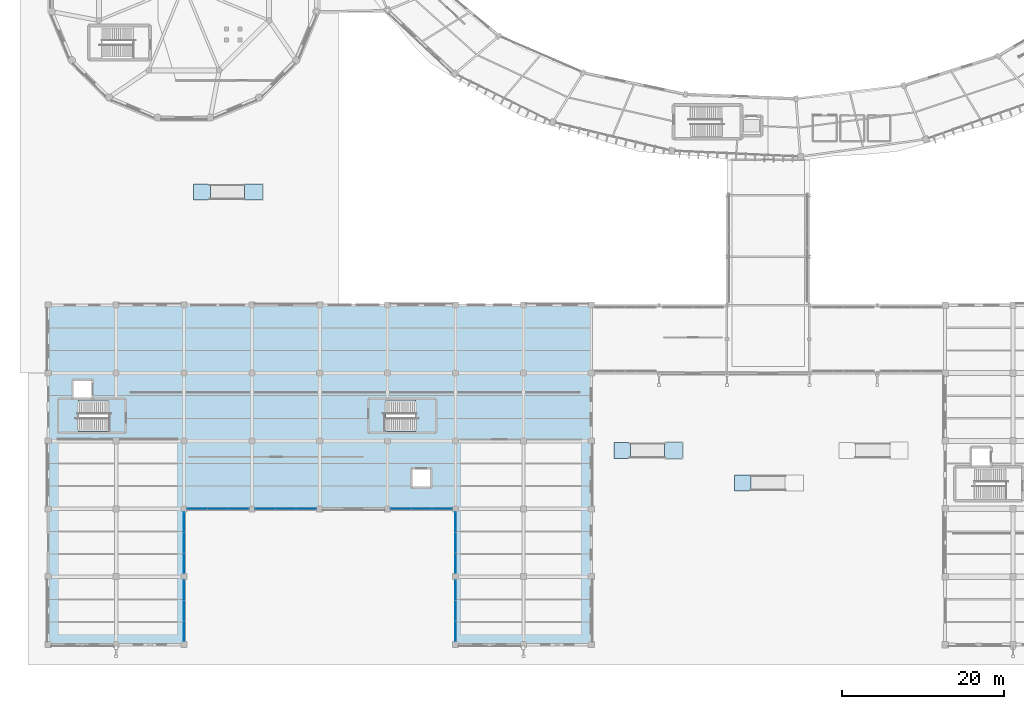
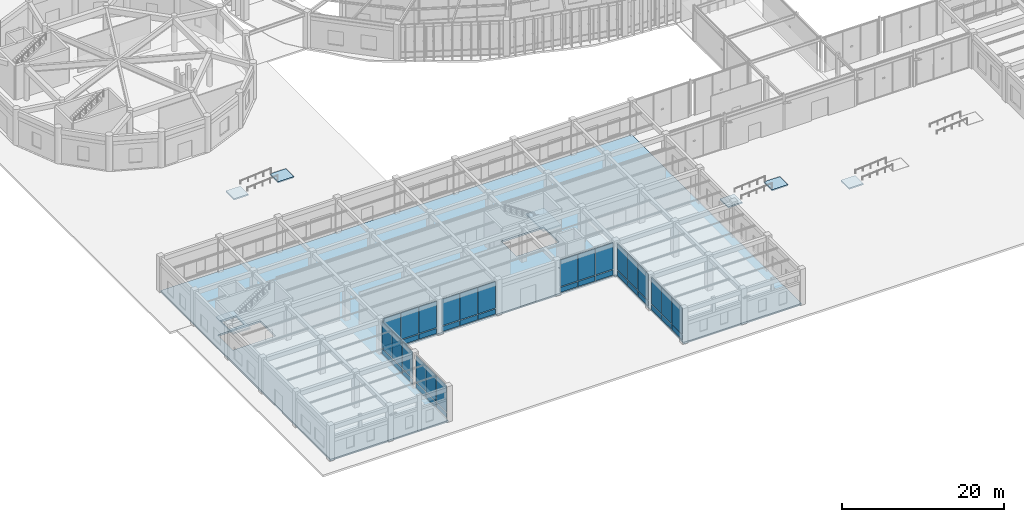
# One storey, part 111 of 157: 42 plates, 8 slabs, 12 elements without a shape of their own.
"""IFC4 building model written with IfcOpenShell, lengths in metres."""

import ifcopenshell
import ifcopenshell.guid

model = None  # the IFC model being written
_history = None  # IfcOwnerHistory: only IFC2X3 demands one
_inside = {}  # id of a spatial element -> (the spatial element, [elements in it])
_under = {}  # id of a project, library or spatial element -> (it, [spatial elements below it])
_declared = {}  # id of a project -> (the project, [libraries it declares])
_typed = {}  # id of a type object -> (the type object, [elements of that type])
_made_of = {}  # id of a material, layer set ... -> (it, [elements and type objects made of it])


def new_model(schema):
    """Start an empty IFC model of exactly this schema.

    Asked for "IFC4X3", IfcOpenShell would pick the latest addendum, in which some entities
    have other attributes; the version numbers below select the first issue.
    IFC2X3 requires an IfcOwnerHistory on every rooted entity: one is made here for all.
    """
    global model, _history
    if schema == "IFC4X3":
        model = ifcopenshell.file(schema_version=(4, 3, 0, 0))
    else:
        model = ifcopenshell.file(schema=schema)
    _inside.clear()
    _under.clear()
    _declared.clear()
    _typed.clear()
    _made_of.clear()
    _history = None
    if model.schema == "IFC2X3":
        org = make("IfcOrganization", Name="unknown")
        user = make(
            "IfcPersonAndOrganization",
            ThePerson=make("IfcPerson", FamilyName="unknown"),
            TheOrganization=org,
        )
        app = make(
            "IfcApplication",
            ApplicationDeveloper=org,
            Version="unknown",
            ApplicationFullName="unknown",
            ApplicationIdentifier="unknown",
        )
        _history = make(
            "IfcOwnerHistory",
            OwningUser=user,
            OwningApplication=app,
            ChangeAction="ADDED",
            CreationDate=0,
        )
    return model


def make(cls, **values):
    """One entity of the class cls with the attributes given. An attribute that is None is left unset."""
    return model.create_entity(
        cls, **{name: value for name, value in values.items() if value is not None}
    )


def rooted(cls, **values):
    """An entity with a GlobalId (a new one), such as an element, a storey or a relation."""
    return make(cls, GlobalId=ifcopenshell.guid.new(), OwnerHistory=_history, **values)


def si_unit(unit_type, name, prefix=None):
    """IfcSIUnit, for example si_unit("LENGTHUNIT", "METRE", prefix="MILLI")."""
    return make("IfcSIUnit", UnitType=unit_type, Prefix=prefix, Name=name)


def assignment(units):
    """IfcUnitAssignment: the units of a project."""
    return None if units is None else make("IfcUnitAssignment", Units=units)


def point(xyz):
    """IfcCartesianPoint."""
    return None if xyz is None else make("IfcCartesianPoint", Coordinates=xyz)


def direction(xyz):
    """IfcDirection."""
    return None if xyz is None else make("IfcDirection", DirectionRatios=xyz)


def frame(location, z_axis=None, x_axis=None):
    """IfcAxis2Placement3D, a coordinate frame: its origin and axes. An axis left out is left unset."""
    return make(
        "IfcAxis2Placement3D",
        Location=point(location),
        Axis=direction(z_axis),
        RefDirection=direction(x_axis),
    )


def frame_2d(location, x_axis=None):
    """IfcAxis2Placement2D, a coordinate frame in the plane: its origin and x axis."""
    return make(
        "IfcAxis2Placement2D", Location=point(location), RefDirection=direction(x_axis)
    )


def origin():
    """The frame at (0, 0, 0) with its axes left unset."""
    return frame((0.0, 0.0, 0.0))


def origin_2d():
    """The frame at (0, 0) in the plane with its x axis left unset."""
    return frame_2d((0.0, 0.0))


def place(relative_to, where):
    """IfcLocalPlacement: puts the frame where relative to a parent placement (None: the world)."""
    return make(
        "IfcLocalPlacement", PlacementRelTo=relative_to, RelativePlacement=where
    )


def context(
    kind, dimensions, precision=None, world=None, true_north=None, identifier=None
):
    """IfcGeometricRepresentationContext, for example the 3D "Model" context."""
    return make(
        "IfcGeometricRepresentationContext",
        ContextIdentifier=identifier,
        ContextType=kind,
        CoordinateSpaceDimension=dimensions,
        Precision=precision,
        WorldCoordinateSystem=world,
        TrueNorth=true_north,
    )


def subcontext(parent, identifier, kind, view, scale=None):
    """IfcGeometricRepresentationSubContext, for example "Body" below "Model"."""
    return make(
        "IfcGeometricRepresentationSubContext",
        ContextIdentifier=identifier,
        ContextType=kind,
        ParentContext=parent,
        TargetScale=scale,
        TargetView=view,
    )


def project(units=None, contexts=None):
    """IfcProject with its units and contexts."""
    return rooted(
        "IfcProject",
        Name="project",
        RepresentationContexts=contexts,
        UnitsInContext=assignment(units),
    )


def spatial(cls, under=None, at=None, **own):
    """A site, building, storey or space (cls), placed at a placement, below another one or the project."""
    s = rooted(cls, ObjectPlacement=at, **own)
    if under is not None:
        _under.setdefault(under.id(), (under, []))[1].append(s)
    return s


def polyline(points):
    """IfcPolyline through the points."""
    return make("IfcPolyline", Points=[point(p) for p in points])


def profile(cls, at=None, kind="AREA", **sizes):
    """A parametric profile (cls). Its sizes go by their IFC names, for example OverallWidth=200.0."""
    return make(cls, ProfileType=kind, Position=at, **sizes)


def rectangle(**sizes):
    """IfcRectangleProfileDef."""
    return profile("IfcRectangleProfileDef", **sizes)


def outline(outer, holes=None, kind="AREA"):
    """IfcArbitraryClosedProfileDef: a profile drawn as a closed curve; with holes, ...WithVoids."""
    if holes is None:
        return make("IfcArbitraryClosedProfileDef", ProfileType=kind, OuterCurve=outer)
    return make(
        "IfcArbitraryProfileDefWithVoids",
        ProfileType=kind,
        OuterCurve=outer,
        InnerCurves=holes,
    )


def extrude(swept, where, along, depth):
    """IfcExtrudedAreaSolid: the profile swept, set in the frame where, extruded along a direction by depth."""
    return make(
        "IfcExtrudedAreaSolid",
        SweptArea=swept,
        Position=where,
        ExtrudedDirection=direction(along),
        Depth=depth,
    )


def shape(context_of_items, identifier, shape_type, items):
    """IfcShapeRepresentation: the items that make up one representation, for example the "Body"."""
    return make(
        "IfcShapeRepresentation",
        ContextOfItems=context_of_items,
        RepresentationIdentifier=identifier,
        RepresentationType=shape_type,
        Items=items,
    )


def material(Name=None, Category=None):
    """IfcMaterial."""
    return make("IfcMaterial", Name=Name, Category=Category)


def layer(
    of_material, thickness, ventilated=None, Name=None, Category=None, Priority=None
):
    """IfcMaterialLayer: one layer of a wall or slab, of a material (None: an air gap)."""
    return make(
        "IfcMaterialLayer",
        Material=of_material,
        LayerThickness=thickness,
        IsVentilated=ventilated,
        Name=Name,
        Category=Category,
        Priority=Priority,
    )


def layer_set(layers, Name=None):
    """IfcMaterialLayerSet."""
    return make("IfcMaterialLayerSet", MaterialLayers=layers, LayerSetName=Name)


def made_of(thing, what):
    """Note that an element or type object is made of a material, layer set ...; save() writes the relation."""
    if what is not None:
        _made_of.setdefault(what.id(), (what, []))[1].append(thing)
    return thing


def type_object(cls, material=None, **own):
    """A type object (cls), such as IfcWallType, which elements share."""
    return made_of(rooted(cls, **own), material)


def element(
    cls,
    number,
    at=None,
    inside=None,
    cuts=None,
    type_object=None,
    material=None,
    context=None,
    identifier="Body",
    shape_type=None,
    held_by="IfcProductDefinitionShape",
    body=None,
    shapes=None,
    **own,
):
    """One element of the class cls, such as IfcWall. Its Tag is "e" and its number.

    at: its placement. inside: the storey or other place that contains it. cuts: it is an
    opening in that element (IfcRelVoidsElement). A single representation is given by context,
    identifier, shape_type and body (its items); several are given by shapes. held_by: the class
    of the entity that holds the representations. save() writes the other relations.
    """
    e = rooted(cls, Tag="e%d" % number, ObjectPlacement=at, **own)
    if body is not None:
        shapes = [shape(context, identifier, shape_type, body)]
    if shapes is not None:
        e.Representation = make(held_by, Representations=shapes)
    if inside is not None:
        _inside.setdefault(inside.id(), (inside, []))[1].append(e)
    if cuts is not None:
        rooted(
            "IfcRelVoidsElement", RelatingBuildingElement=cuts, RelatedOpeningElement=e
        )
    if type_object is not None:
        _typed.setdefault(type_object.id(), (type_object, []))[1].append(e)
    return made_of(e, material)


def aggregate(whole, parts):
    """IfcRelAggregates: a whole, such as a stair, and the parts it consists of."""
    return rooted("IfcRelAggregates", RelatingObject=whole, RelatedObjects=parts)


def save(model, path):
    """Write the relations noted so far, then the file.

    IfcRelAggregates (storeys below a building ...), IfcRelContainedInSpatialStructure (elements
    in a storey), IfcRelDefinesByType, IfcRelAssociatesMaterial and IfcRelDeclares: one each for
    every whole, place, type object, material and project.
    """
    for whole, parts in _under.values():
        aggregate(whole, parts)
    for where, things in _inside.values():
        rooted(
            "IfcRelContainedInSpatialStructure",
            RelatedElements=things,
            RelatingStructure=where,
        )
    for kind, things in _typed.values():
        rooted("IfcRelDefinesByType", RelatedObjects=things, RelatingType=kind)
    for what, things in _made_of.values():
        rooted("IfcRelAssociatesMaterial", RelatedObjects=things, RelatingMaterial=what)
    for by, libraries in _declared.values():
        rooted("IfcRelDeclares", RelatingContext=by, RelatedDefinitions=libraries)
    model.write(path)


model = new_model("IFC4")

# Units and contexts
model_context = context("Model", 3, precision=1e-05, world=origin(), true_north=direction((0.0, 1.0)))
body_context = subcontext(model_context, "Body", "Model", "MODEL_VIEW")
ifc_project = project(units=[si_unit("LENGTHUNIT", "METRE"), si_unit("AREAUNIT", "SQUARE_METRE"), si_unit("VOLUMEUNIT", "CUBIC_METRE"), si_unit("PLANEANGLEUNIT", "RADIAN"), si_unit("MASSUNIT", "GRAM", prefix="KILO"), si_unit("THERMODYNAMICTEMPERATUREUNIT", "KELVIN"), si_unit("POWERUNIT", "WATT")], contexts=[model_context])

# Site, building, storey
site_placement = place(None, origin())
site = spatial("IfcSite", under=ifc_project, at=site_placement, CompositionType="ELEMENT")
building_placement = place(site_placement, origin())
building = spatial("IfcBuilding", under=site, at=building_placement, Name="Darbajah Civic Hall", CompositionType="ELEMENT")
storey_placement = place(building_placement, origin())
storey = spatial("IfcBuildingStorey", under=building, at=storey_placement, Name="L00", CompositionType="ELEMENT", Elevation=0.0)

# Curtain wall, plates
ifc_material_1 = material(Name="Anodised Bronze Aluminium and Low-E Glazing", Category="aluminium")
curtain_wall_type = type_object("IfcCurtainWallType", Name="Unitised Curtain Wall CW-98 7600x5150", PredefinedType="USERDEFINED", material=ifc_material_1)
curtain_wall_1_placement = place(storey_placement, origin())
curtain_wall_1 = element("IfcCurtainWall", 1, at=curtain_wall_1_placement, inside=storey, type_object=curtain_wall_type, Name="L00 unitised curtain wall CW-V5-L00-S1-B0", ObjectType="UNITISED CURTAIN WALL", PredefinedType="USERDEFINED")
ifc_material_2 = material(Name="Low-E Solar Control Double Glazing", Category="glass")
ifc_layer_1 = layer(ifc_material_2, 0.031982421875, Name="Low-E Solar Control Double Glazing")
ifc_layer_set_1 = layer_set([ifc_layer_1], Name="Low-E Solar Control Double Glazing")
plate_type = type_object("IfcPlateType", Name="Solar Double Glazing 32mm", PredefinedType="CURTAIN_PANEL", material=ifc_layer_set_1)
plate_1_placement = place(storey_placement, frame((16.800048828125, 1.6513671875, 0.119873046875), z_axis=(0.0, 0.0, 1.0), x_axis=(0.0, 1.0, 0.0)))
plate_1 = element("IfcPlate", 2, at=plate_1_placement, type_object=plate_type, Name="CW-V5-L00-S1-B0 glazed panel 1.1", PredefinedType="CURTAIN_PANEL", context=body_context, shape_type="SweptSolid", body=[
    extrude(rectangle(XDim=2.478759765625, YDim=0.031982421875, at=origin_2d()), origin(), (0.0, 0.0, 1.0), 0.77001953125),
])
plate_2_placement = place(storey_placement, frame((16.800048828125, 1.6513671875, 1.009765625), z_axis=(0.0, 0.0, 1.0), x_axis=(0.0, 1.0, 0.0)))
plate_2 = element("IfcPlate", 3, at=plate_2_placement, type_object=plate_type, Name="CW-V5-L00-S1-B0 glazed panel 1.2", PredefinedType="CURTAIN_PANEL", context=body_context, shape_type="SweptSolid", body=[
    extrude(rectangle(XDim=2.478759765625, YDim=0.031982421875, at=origin_2d()), origin(), (0.0, 0.0, 1.0), 4.010009765625),
])
plate_3_placement = place(storey_placement, frame((16.800048828125, 4.199951171875, 0.119873046875), z_axis=(0.0, 0.0, 1.0), x_axis=(0.0, 1.0, 0.0)))
plate_3 = element("IfcPlate", 4, at=plate_3_placement, type_object=plate_type, Name="CW-V5-L00-S1-B0 glazed panel 2.1", PredefinedType="CURTAIN_PANEL", context=body_context, shape_type="SweptSolid", body=[
    extrude(rectangle(XDim=2.478759765625, YDim=0.031982421875, at=origin_2d()), origin(), (0.0, 0.0, 1.0), 0.77001953125),
])
plate_4_placement = place(storey_placement, frame((16.800048828125, 4.199951171875, 1.009765625), z_axis=(0.0, 0.0, 1.0), x_axis=(0.0, 1.0, 0.0)))
plate_4 = element("IfcPlate", 5, at=plate_4_placement, type_object=plate_type, Name="CW-V5-L00-S1-B0 glazed panel 2.2", PredefinedType="CURTAIN_PANEL", context=body_context, shape_type="SweptSolid", body=[
    extrude(rectangle(XDim=2.478759765625, YDim=0.031982421875, at=origin_2d()), origin(), (0.0, 0.0, 1.0), 4.010009765625),
])
plate_5_placement = place(storey_placement, frame((16.800048828125, 6.74853515625, 0.119873046875), z_axis=(0.0, 0.0, 1.0), x_axis=(0.0, 1.0, 0.0)))
plate_5 = element("IfcPlate", 6, at=plate_5_placement, type_object=plate_type, Name="CW-V5-L00-S1-B0 glazed panel 3.1", PredefinedType="CURTAIN_PANEL", context=body_context, shape_type="SweptSolid", body=[
    extrude(rectangle(XDim=2.478759765625, YDim=0.031982421875, at=origin_2d()), origin(), (0.0, 0.0, 1.0), 0.77001953125),
])
plate_6_placement = place(storey_placement, frame((16.800048828125, 6.74853515625, 1.009765625), z_axis=(0.0, 0.0, 1.0), x_axis=(0.0, 1.0, 0.0)))
plate_6 = element("IfcPlate", 7, at=plate_6_placement, type_object=plate_type, Name="CW-V5-L00-S1-B0 glazed panel 3.2", PredefinedType="CURTAIN_PANEL", context=body_context, shape_type="SweptSolid", body=[
    extrude(rectangle(XDim=2.478759765625, YDim=0.031982421875, at=origin_2d()), origin(), (0.0, 0.0, 1.0), 4.010009765625),
])
aggregate(curtain_wall_1, [plate_1, plate_2, plate_3, plate_4, plate_5, plate_6])

curtain_wall_2_placement = place(storey_placement, origin())
curtain_wall_2 = element("IfcCurtainWall", 8, at=curtain_wall_2_placement, inside=storey, type_object=curtain_wall_type, Name="L00 unitised curtain wall CW-V5-L00-S1-B1", ObjectType="UNITISED CURTAIN WALL", PredefinedType="USERDEFINED")
plate_7_placement = place(storey_placement, frame((16.800048828125, 10.05126953125, 0.119873046875), z_axis=(0.0, 0.0, 1.0), x_axis=(0.0, 1.0, 0.0)))
plate_7 = element("IfcPlate", 9, at=plate_7_placement, type_object=plate_type, Name="CW-V5-L00-S1-B1 glazed panel 1.1", PredefinedType="CURTAIN_PANEL", context=body_context, shape_type="SweptSolid", body=[
    extrude(rectangle(XDim=2.478759765625, YDim=0.031982421875, at=origin_2d()), origin(), (0.0, 0.0, 1.0), 0.77001953125),
])
plate_8_placement = place(storey_placement, frame((16.800048828125, 10.05126953125, 1.009765625), z_axis=(0.0, 0.0, 1.0), x_axis=(0.0, 1.0, 0.0)))
plate_8 = element("IfcPlate", 10, at=plate_8_placement, type_object=plate_type, Name="CW-V5-L00-S1-B1 glazed panel 1.2", PredefinedType="CURTAIN_PANEL", context=body_context, shape_type="SweptSolid", body=[
    extrude(rectangle(XDim=2.478759765625, YDim=0.031982421875, at=origin_2d()), origin(), (0.0, 0.0, 1.0), 4.010009765625),
])
plate_9_placement = place(storey_placement, frame((16.800048828125, 12.60009765625, 0.119873046875), z_axis=(0.0, 0.0, 1.0), x_axis=(0.0, 1.0, 0.0)))
plate_9 = element("IfcPlate", 11, at=plate_9_placement, type_object=plate_type, Name="CW-V5-L00-S1-B1 glazed panel 2.1", PredefinedType="CURTAIN_PANEL", context=body_context, shape_type="SweptSolid", body=[
    extrude(rectangle(XDim=2.478759765625, YDim=0.031982421875, at=origin_2d()), origin(), (0.0, 0.0, 1.0), 0.77001953125),
])
plate_10_placement = place(storey_placement, frame((16.800048828125, 12.60009765625, 1.009765625), z_axis=(0.0, 0.0, 1.0), x_axis=(0.0, 1.0, 0.0)))
plate_10 = element("IfcPlate", 12, at=plate_10_placement, type_object=plate_type, Name="CW-V5-L00-S1-B1 glazed panel 2.2", PredefinedType="CURTAIN_PANEL", context=body_context, shape_type="SweptSolid", body=[
    extrude(rectangle(XDim=2.478759765625, YDim=0.031982421875, at=origin_2d()), origin(), (0.0, 0.0, 1.0), 4.010009765625),
])
plate_11_placement = place(storey_placement, frame((16.800048828125, 15.148681640625, 0.119873046875), z_axis=(0.0, 0.0, 1.0), x_axis=(0.0, 1.0, 0.0)))
plate_11 = element("IfcPlate", 13, at=plate_11_placement, type_object=plate_type, Name="CW-V5-L00-S1-B1 glazed panel 3.1", PredefinedType="CURTAIN_PANEL", context=body_context, shape_type="SweptSolid", body=[
    extrude(rectangle(XDim=2.478759765625, YDim=0.031982421875, at=origin_2d()), origin(), (0.0, 0.0, 1.0), 0.77001953125),
])
plate_12_placement = place(storey_placement, frame((16.800048828125, 15.148681640625, 1.009765625), z_axis=(0.0, 0.0, 1.0), x_axis=(0.0, 1.0, 0.0)))
plate_12 = element("IfcPlate", 14, at=plate_12_placement, type_object=plate_type, Name="CW-V5-L00-S1-B1 glazed panel 3.2", PredefinedType="CURTAIN_PANEL", context=body_context, shape_type="SweptSolid", body=[
    extrude(rectangle(XDim=2.478759765625, YDim=0.031982421875, at=origin_2d()), origin(), (0.0, 0.0, 1.0), 4.010009765625),
])
aggregate(curtain_wall_2, [plate_7, plate_8, plate_9, plate_10, plate_11, plate_12])

curtain_wall_3_placement = place(storey_placement, origin())
curtain_wall_3 = element("IfcCurtainWall", 15, at=curtain_wall_3_placement, inside=storey, type_object=curtain_wall_type, Name="L00 unitised curtain wall CW-V5-L00-S2-B0", ObjectType="UNITISED CURTAIN WALL", PredefinedType="USERDEFINED")
plate_13_placement = place(storey_placement, frame((18.451416015625, 16.800048828125, 0.119873046875), z_axis=(0.0, 0.0, 1.0), x_axis=(1.0, 0.0, 0.0)))
plate_13 = element("IfcPlate", 16, at=plate_13_placement, type_object=plate_type, Name="CW-V5-L00-S2-B0 glazed panel 1.1", PredefinedType="CURTAIN_PANEL", context=body_context, shape_type="SweptSolid", body=[
    extrude(rectangle(XDim=2.478759765625, YDim=0.031982421875, at=origin_2d()), origin(), (0.0, 0.0, 1.0), 0.77001953125),
])
plate_14_placement = place(storey_placement, frame((18.451416015625, 16.800048828125, 1.009765625), z_axis=(0.0, 0.0, 1.0), x_axis=(1.0, 0.0, 0.0)))
plate_14 = element("IfcPlate", 17, at=plate_14_placement, type_object=plate_type, Name="CW-V5-L00-S2-B0 glazed panel 1.2", PredefinedType="CURTAIN_PANEL", context=body_context, shape_type="SweptSolid", body=[
    extrude(rectangle(XDim=2.478759765625, YDim=0.031982421875, at=origin_2d()), origin(), (0.0, 0.0, 1.0), 4.010009765625),
])
plate_15_placement = place(storey_placement, frame((21.0, 16.800048828125, 0.119873046875), z_axis=(0.0, 0.0, 1.0), x_axis=(1.0, 0.0, 0.0)))
plate_15 = element("IfcPlate", 18, at=plate_15_placement, type_object=plate_type, Name="CW-V5-L00-S2-B0 glazed panel 2.1", PredefinedType="CURTAIN_PANEL", context=body_context, shape_type="SweptSolid", body=[
    extrude(rectangle(XDim=2.478759765625, YDim=0.031982421875, at=origin_2d()), origin(), (0.0, 0.0, 1.0), 0.77001953125),
])
plate_16_placement = place(storey_placement, frame((21.0, 16.800048828125, 1.009765625), z_axis=(0.0, 0.0, 1.0), x_axis=(1.0, 0.0, 0.0)))
plate_16 = element("IfcPlate", 19, at=plate_16_placement, type_object=plate_type, Name="CW-V5-L00-S2-B0 glazed panel 2.2", PredefinedType="CURTAIN_PANEL", context=body_context, shape_type="SweptSolid", body=[
    extrude(rectangle(XDim=2.478759765625, YDim=0.031982421875, at=origin_2d()), origin(), (0.0, 0.0, 1.0), 4.010009765625),
])
plate_17_placement = place(storey_placement, frame((23.548583984375, 16.800048828125, 0.119873046875), z_axis=(0.0, 0.0, 1.0), x_axis=(1.0, 0.0, 0.0)))
plate_17 = element("IfcPlate", 20, at=plate_17_placement, type_object=plate_type, Name="CW-V5-L00-S2-B0 glazed panel 3.1", PredefinedType="CURTAIN_PANEL", context=body_context, shape_type="SweptSolid", body=[
    extrude(rectangle(XDim=2.478759765625, YDim=0.031982421875, at=origin_2d()), origin(), (0.0, 0.0, 1.0), 0.77001953125),
])
plate_18_placement = place(storey_placement, frame((23.548583984375, 16.800048828125, 1.009765625), z_axis=(0.0, 0.0, 1.0), x_axis=(1.0, 0.0, 0.0)))
plate_18 = element("IfcPlate", 21, at=plate_18_placement, type_object=plate_type, Name="CW-V5-L00-S2-B0 glazed panel 3.2", PredefinedType="CURTAIN_PANEL", context=body_context, shape_type="SweptSolid", body=[
    extrude(rectangle(XDim=2.478759765625, YDim=0.031982421875, at=origin_2d()), origin(), (0.0, 0.0, 1.0), 4.010009765625),
])
aggregate(curtain_wall_3, [plate_13, plate_14, plate_15, plate_16, plate_17, plate_18])

curtain_wall_4_placement = place(storey_placement, origin())
curtain_wall_4 = element("IfcCurtainWall", 22, at=curtain_wall_4_placement, inside=storey, type_object=curtain_wall_type, Name="L00 unitised curtain wall CW-V5-L00-S2-B1", ObjectType="UNITISED CURTAIN WALL", PredefinedType="USERDEFINED")
plate_19_placement = place(storey_placement, frame((26.851318359375, 16.800048828125, 0.119873046875), z_axis=(0.0, 0.0, 1.0), x_axis=(1.0, 0.0, 0.0)))
plate_19 = element("IfcPlate", 23, at=plate_19_placement, type_object=plate_type, Name="CW-V5-L00-S2-B1 glazed panel 1.1", PredefinedType="CURTAIN_PANEL", context=body_context, shape_type="SweptSolid", body=[
    extrude(rectangle(XDim=2.478759765625, YDim=0.031982421875, at=origin_2d()), origin(), (0.0, 0.0, 1.0), 0.77001953125),
])
plate_20_placement = place(storey_placement, frame((26.851318359375, 16.800048828125, 1.009765625), z_axis=(0.0, 0.0, 1.0), x_axis=(1.0, 0.0, 0.0)))
plate_20 = element("IfcPlate", 24, at=plate_20_placement, type_object=plate_type, Name="CW-V5-L00-S2-B1 glazed panel 1.2", PredefinedType="CURTAIN_PANEL", context=body_context, shape_type="SweptSolid", body=[
    extrude(rectangle(XDim=2.478759765625, YDim=0.031982421875, at=origin_2d()), origin(), (0.0, 0.0, 1.0), 4.010009765625),
])
plate_21_placement = place(storey_placement, frame((29.39990234375, 16.800048828125, 0.119873046875), z_axis=(0.0, 0.0, 1.0), x_axis=(1.0, 0.0, 0.0)))
plate_21 = element("IfcPlate", 25, at=plate_21_placement, type_object=plate_type, Name="CW-V5-L00-S2-B1 glazed panel 2.1", PredefinedType="CURTAIN_PANEL", context=body_context, shape_type="SweptSolid", body=[
    extrude(rectangle(XDim=2.478759765625, YDim=0.031982421875, at=origin_2d()), origin(), (0.0, 0.0, 1.0), 0.77001953125),
])
plate_22_placement = place(storey_placement, frame((29.39990234375, 16.800048828125, 1.009765625), z_axis=(0.0, 0.0, 1.0), x_axis=(1.0, 0.0, 0.0)))
plate_22 = element("IfcPlate", 26, at=plate_22_placement, type_object=plate_type, Name="CW-V5-L00-S2-B1 glazed panel 2.2", PredefinedType="CURTAIN_PANEL", context=body_context, shape_type="SweptSolid", body=[
    extrude(rectangle(XDim=2.478759765625, YDim=0.031982421875, at=origin_2d()), origin(), (0.0, 0.0, 1.0), 4.010009765625),
])
plate_23_placement = place(storey_placement, frame((31.94873046875, 16.800048828125, 0.119873046875), z_axis=(0.0, 0.0, 1.0), x_axis=(1.0, 0.0, 0.0)))
plate_23 = element("IfcPlate", 27, at=plate_23_placement, type_object=plate_type, Name="CW-V5-L00-S2-B1 glazed panel 3.1", PredefinedType="CURTAIN_PANEL", context=body_context, shape_type="SweptSolid", body=[
    extrude(rectangle(XDim=2.478759765625, YDim=0.031982421875, at=origin_2d()), origin(), (0.0, 0.0, 1.0), 0.77001953125),
])
plate_24_placement = place(storey_placement, frame((31.94873046875, 16.800048828125, 1.009765625), z_axis=(0.0, 0.0, 1.0), x_axis=(1.0, 0.0, 0.0)))
plate_24 = element("IfcPlate", 28, at=plate_24_placement, type_object=plate_type, Name="CW-V5-L00-S2-B1 glazed panel 3.2", PredefinedType="CURTAIN_PANEL", context=body_context, shape_type="SweptSolid", body=[
    extrude(rectangle(XDim=2.478759765625, YDim=0.031982421875, at=origin_2d()), origin(), (0.0, 0.0, 1.0), 4.010009765625),
])
aggregate(curtain_wall_4, [plate_19, plate_20, plate_21, plate_22, plate_23, plate_24])

curtain_wall_5_placement = place(storey_placement, origin())
curtain_wall_5 = element("IfcCurtainWall", 29, at=curtain_wall_5_placement, inside=storey, type_object=curtain_wall_type, Name="L00 unitised curtain wall CW-V5-L00-S2-B3", ObjectType="UNITISED CURTAIN WALL", PredefinedType="USERDEFINED")
plate_25_placement = place(storey_placement, frame((43.6513671875, 16.800048828125, 0.119873046875), z_axis=(0.0, 0.0, 1.0), x_axis=(1.0, 0.0, 0.0)))
plate_25 = element("IfcPlate", 30, at=plate_25_placement, type_object=plate_type, Name="CW-V5-L00-S2-B3 glazed panel 1.1", PredefinedType="CURTAIN_PANEL", context=body_context, shape_type="SweptSolid", body=[
    extrude(rectangle(XDim=2.478759765625, YDim=0.031982421875, at=origin_2d()), origin(), (0.0, 0.0, 1.0), 0.77001953125),
])
plate_26_placement = place(storey_placement, frame((43.6513671875, 16.800048828125, 1.009765625), z_axis=(0.0, 0.0, 1.0), x_axis=(1.0, 0.0, 0.0)))
plate_26 = element("IfcPlate", 31, at=plate_26_placement, type_object=plate_type, Name="CW-V5-L00-S2-B3 glazed panel 1.2", PredefinedType="CURTAIN_PANEL", context=body_context, shape_type="SweptSolid", body=[
    extrude(rectangle(XDim=2.478759765625, YDim=0.031982421875, at=origin_2d()), origin(), (0.0, 0.0, 1.0), 4.010009765625),
])
plate_27_placement = place(storey_placement, frame((46.199951171875, 16.800048828125, 0.119873046875), z_axis=(0.0, 0.0, 1.0), x_axis=(1.0, 0.0, 0.0)))
plate_27 = element("IfcPlate", 32, at=plate_27_placement, type_object=plate_type, Name="CW-V5-L00-S2-B3 glazed panel 2.1", PredefinedType="CURTAIN_PANEL", context=body_context, shape_type="SweptSolid", body=[
    extrude(rectangle(XDim=2.478759765625, YDim=0.031982421875, at=origin_2d()), origin(), (0.0, 0.0, 1.0), 0.77001953125),
])
plate_28_placement = place(storey_placement, frame((46.199951171875, 16.800048828125, 1.009765625), z_axis=(0.0, 0.0, 1.0), x_axis=(1.0, 0.0, 0.0)))
plate_28 = element("IfcPlate", 33, at=plate_28_placement, type_object=plate_type, Name="CW-V5-L00-S2-B3 glazed panel 2.2", PredefinedType="CURTAIN_PANEL", context=body_context, shape_type="SweptSolid", body=[
    extrude(rectangle(XDim=2.478759765625, YDim=0.031982421875, at=origin_2d()), origin(), (0.0, 0.0, 1.0), 4.010009765625),
])
plate_29_placement = place(storey_placement, frame((48.74853515625, 16.800048828125, 0.119873046875), z_axis=(0.0, 0.0, 1.0), x_axis=(1.0, 0.0, 0.0)))
plate_29 = element("IfcPlate", 34, at=plate_29_placement, type_object=plate_type, Name="CW-V5-L00-S2-B3 glazed panel 3.1", PredefinedType="CURTAIN_PANEL", context=body_context, shape_type="SweptSolid", body=[
    extrude(rectangle(XDim=2.478759765625, YDim=0.031982421875, at=origin_2d()), origin(), (0.0, 0.0, 1.0), 0.77001953125),
])
plate_30_placement = place(storey_placement, frame((48.74853515625, 16.800048828125, 1.009765625), z_axis=(0.0, 0.0, 1.0), x_axis=(1.0, 0.0, 0.0)))
plate_30 = element("IfcPlate", 35, at=plate_30_placement, type_object=plate_type, Name="CW-V5-L00-S2-B3 glazed panel 3.2", PredefinedType="CURTAIN_PANEL", context=body_context, shape_type="SweptSolid", body=[
    extrude(rectangle(XDim=2.478759765625, YDim=0.031982421875, at=origin_2d()), origin(), (0.0, 0.0, 1.0), 4.010009765625),
])
aggregate(curtain_wall_5, [plate_25, plate_26, plate_27, plate_28, plate_29, plate_30])

curtain_wall_6_placement = place(storey_placement, origin())
curtain_wall_6 = element("IfcCurtainWall", 36, at=curtain_wall_6_placement, inside=storey, type_object=curtain_wall_type, Name="L00 unitised curtain wall CW-V5-L00-S3-B0", ObjectType="UNITISED CURTAIN WALL", PredefinedType="USERDEFINED")
plate_31_placement = place(storey_placement, frame((50.39990234375, 15.148681640625, 0.119873046875), z_axis=(0.0, 0.0, 1.0), x_axis=(0.0, -1.0, 0.0)))
plate_31 = element("IfcPlate", 37, at=plate_31_placement, type_object=plate_type, Name="CW-V5-L00-S3-B0 glazed panel 1.1", PredefinedType="CURTAIN_PANEL", context=body_context, shape_type="SweptSolid", body=[
    extrude(rectangle(XDim=2.478759765625, YDim=0.031982421875, at=origin_2d()), origin(), (0.0, 0.0, 1.0), 0.77001953125),
])
plate_32_placement = place(storey_placement, frame((50.39990234375, 15.148681640625, 1.009765625), z_axis=(0.0, 0.0, 1.0), x_axis=(0.0, -1.0, 0.0)))
plate_32 = element("IfcPlate", 38, at=plate_32_placement, type_object=plate_type, Name="CW-V5-L00-S3-B0 glazed panel 1.2", PredefinedType="CURTAIN_PANEL", context=body_context, shape_type="SweptSolid", body=[
    extrude(rectangle(XDim=2.478759765625, YDim=0.031982421875, at=origin_2d()), origin(), (0.0, 0.0, 1.0), 4.010009765625),
])
plate_33_placement = place(storey_placement, frame((50.39990234375, 12.60009765625, 0.119873046875), z_axis=(0.0, 0.0, 1.0), x_axis=(0.0, -1.0, 0.0)))
plate_33 = element("IfcPlate", 39, at=plate_33_placement, type_object=plate_type, Name="CW-V5-L00-S3-B0 glazed panel 2.1", PredefinedType="CURTAIN_PANEL", context=body_context, shape_type="SweptSolid", body=[
    extrude(rectangle(XDim=2.478759765625, YDim=0.031982421875, at=origin_2d()), origin(), (0.0, 0.0, 1.0), 0.77001953125),
])
plate_34_placement = place(storey_placement, frame((50.39990234375, 12.60009765625, 1.009765625), z_axis=(0.0, 0.0, 1.0), x_axis=(0.0, -1.0, 0.0)))
plate_34 = element("IfcPlate", 40, at=plate_34_placement, type_object=plate_type, Name="CW-V5-L00-S3-B0 glazed panel 2.2", PredefinedType="CURTAIN_PANEL", context=body_context, shape_type="SweptSolid", body=[
    extrude(rectangle(XDim=2.478759765625, YDim=0.031982421875, at=origin_2d()), origin(), (0.0, 0.0, 1.0), 4.010009765625),
])
plate_35_placement = place(storey_placement, frame((50.39990234375, 10.05126953125, 0.119873046875), z_axis=(0.0, 0.0, 1.0), x_axis=(0.0, -1.0, 0.0)))
plate_35 = element("IfcPlate", 41, at=plate_35_placement, type_object=plate_type, Name="CW-V5-L00-S3-B0 glazed panel 3.1", PredefinedType="CURTAIN_PANEL", context=body_context, shape_type="SweptSolid", body=[
    extrude(rectangle(XDim=2.478759765625, YDim=0.031982421875, at=origin_2d()), origin(), (0.0, 0.0, 1.0), 0.77001953125),
])
plate_36_placement = place(storey_placement, frame((50.39990234375, 10.05126953125, 1.009765625), z_axis=(0.0, 0.0, 1.0), x_axis=(0.0, -1.0, 0.0)))
plate_36 = element("IfcPlate", 42, at=plate_36_placement, type_object=plate_type, Name="CW-V5-L00-S3-B0 glazed panel 3.2", PredefinedType="CURTAIN_PANEL", context=body_context, shape_type="SweptSolid", body=[
    extrude(rectangle(XDim=2.478759765625, YDim=0.031982421875, at=origin_2d()), origin(), (0.0, 0.0, 1.0), 4.010009765625),
])
aggregate(curtain_wall_6, [plate_31, plate_32, plate_33, plate_34, plate_35, plate_36])

curtain_wall_7_placement = place(storey_placement, origin())
curtain_wall_7 = element("IfcCurtainWall", 43, at=curtain_wall_7_placement, inside=storey, type_object=curtain_wall_type, Name="L00 unitised curtain wall CW-V5-L00-S3-B1", ObjectType="UNITISED CURTAIN WALL", PredefinedType="USERDEFINED")
plate_37_placement = place(storey_placement, frame((50.39990234375, 6.74853515625, 0.119873046875), z_axis=(0.0, 0.0, 1.0), x_axis=(0.0, -1.0, 0.0)))
plate_37 = element("IfcPlate", 44, at=plate_37_placement, type_object=plate_type, Name="CW-V5-L00-S3-B1 glazed panel 1.1", PredefinedType="CURTAIN_PANEL", context=body_context, shape_type="SweptSolid", body=[
    extrude(rectangle(XDim=2.478759765625, YDim=0.031982421875, at=origin_2d()), origin(), (0.0, 0.0, 1.0), 0.77001953125),
])
plate_38_placement = place(storey_placement, frame((50.39990234375, 6.74853515625, 1.009765625), z_axis=(0.0, 0.0, 1.0), x_axis=(0.0, -1.0, 0.0)))
plate_38 = element("IfcPlate", 45, at=plate_38_placement, type_object=plate_type, Name="CW-V5-L00-S3-B1 glazed panel 1.2", PredefinedType="CURTAIN_PANEL", context=body_context, shape_type="SweptSolid", body=[
    extrude(rectangle(XDim=2.478759765625, YDim=0.031982421875, at=origin_2d()), origin(), (0.0, 0.0, 1.0), 4.010009765625),
])
plate_39_placement = place(storey_placement, frame((50.39990234375, 4.199951171875, 0.119873046875), z_axis=(0.0, 0.0, 1.0), x_axis=(0.0, -1.0, 0.0)))
plate_39 = element("IfcPlate", 46, at=plate_39_placement, type_object=plate_type, Name="CW-V5-L00-S3-B1 glazed panel 2.1", PredefinedType="CURTAIN_PANEL", context=body_context, shape_type="SweptSolid", body=[
    extrude(rectangle(XDim=2.478759765625, YDim=0.031982421875, at=origin_2d()), origin(), (0.0, 0.0, 1.0), 0.77001953125),
])
plate_40_placement = place(storey_placement, frame((50.39990234375, 4.199951171875, 1.009765625), z_axis=(0.0, 0.0, 1.0), x_axis=(0.0, -1.0, 0.0)))
plate_40 = element("IfcPlate", 47, at=plate_40_placement, type_object=plate_type, Name="CW-V5-L00-S3-B1 glazed panel 2.2", PredefinedType="CURTAIN_PANEL", context=body_context, shape_type="SweptSolid", body=[
    extrude(rectangle(XDim=2.478759765625, YDim=0.031982421875, at=origin_2d()), origin(), (0.0, 0.0, 1.0), 4.010009765625),
])
plate_41_placement = place(storey_placement, frame((50.39990234375, 1.6513671875, 0.119873046875), z_axis=(0.0, 0.0, 1.0), x_axis=(0.0, -1.0, 0.0)))
plate_41 = element("IfcPlate", 48, at=plate_41_placement, type_object=plate_type, Name="CW-V5-L00-S3-B1 glazed panel 3.1", PredefinedType="CURTAIN_PANEL", context=body_context, shape_type="SweptSolid", body=[
    extrude(rectangle(XDim=2.478759765625, YDim=0.031982421875, at=origin_2d()), origin(), (0.0, 0.0, 1.0), 0.77001953125),
])
plate_42_placement = place(storey_placement, frame((50.39990234375, 1.6513671875, 1.009765625), z_axis=(0.0, 0.0, 1.0), x_axis=(0.0, -1.0, 0.0)))
plate_42 = element("IfcPlate", 49, at=plate_42_placement, type_object=plate_type, Name="CW-V5-L00-S3-B1 glazed panel 3.2", PredefinedType="CURTAIN_PANEL", context=body_context, shape_type="SweptSolid", body=[
    extrude(rectangle(XDim=2.478759765625, YDim=0.031982421875, at=origin_2d()), origin(), (0.0, 0.0, 1.0), 4.010009765625),
])
aggregate(curtain_wall_7, [plate_37, plate_38, plate_39, plate_40, plate_41, plate_42])

# Stair, slab
ifc_material_3 = material(Name="Concrete C45/55", Category="concrete")
stair_type = type_object("IfcStairType", Name="Half Turn Stair 1650x5400", PredefinedType="HALF_TURN_STAIR", material=ifc_material_3)
stair_1_placement = place(storey_placement, origin())
stair_1 = element("IfcStair", 50, at=stair_1_placement, inside=storey, type_object=stair_type, Name="L00 enclosed exit stair ST10", PredefinedType="HALF_TURN_STAIR")
ifc_layer_2 = layer(ifc_material_3, 0.199951171875, Name="Concrete C45/55")
ifc_layer_set_2 = layer_set([ifc_layer_2], Name="Concrete C45/55")
slab_type_1 = type_object("IfcSlabType", Name="Stair Landing Slab 200mm", PredefinedType="LANDING", material=ifc_layer_set_2)
slab_1_placement = place(storey_placement, frame((0.0, 0.0, 2.5)))
slab_1 = element("IfcSlab", 51, at=slab_1_placement, type_object=slab_type_1, Name="ST10 L00 half-landing", PredefinedType="LANDING", context=body_context, shape_type="SweptSolid", body=[
    extrude(outline(polyline([(1.199951171875, 26.199951171875), (3.739990234375, 26.199951171875), (3.739990234375, 30.39990234375), (1.199951171875, 30.39990234375), (1.199951171875, 26.199951171875)])), origin(), (0.0, 0.0, 1.0), 0.199951171875),
])
aggregate(stair_1, [slab_1])

stair_2_placement = place(storey_placement, origin())
stair_2 = element("IfcStair", 52, at=stair_2_placement, inside=storey, type_object=stair_type, Name="L00 enclosed exit stair ST11", PredefinedType="HALF_TURN_STAIR")
slab_2_placement = place(storey_placement, frame((0.0, 0.0, 2.5)))
slab_2 = element("IfcSlab", 53, at=slab_2_placement, type_object=slab_type_1, Name="ST11 L00 half-landing", PredefinedType="LANDING", context=body_context, shape_type="SweptSolid", body=[
    extrude(outline(polyline([(45.4599609375, 26.199951171875), (48.0, 26.199951171875), (48.0, 30.39990234375), (45.4599609375, 30.39990234375), (45.4599609375, 26.199951171875)])), origin(), (0.0, 0.0, 1.0), 0.199951171875),
])
aggregate(stair_2, [slab_2])

# Ramp, slabs
ramp_type = type_object("IfcRampType", Name="Exterior Plaza Accessible Ramp", PredefinedType="STRAIGHT_RUN_RAMP", material=ifc_material_3)
ramp_1_placement = place(storey_placement, origin())
ramp_1 = element("IfcRamp", 54, at=ramp_1_placement, inside=storey, type_object=ramp_type, Name="South West Maidan Accessible Ramp", PredefinedType="STRAIGHT_RUN_RAMP")
slab_3_placement = place(storey_placement, frame((0.0, 0.0, -0.56005859375)))
slab_3 = element("IfcSlab", 55, at=slab_3_placement, type_object=slab_type_1, Name="South West Maidan Accessible Ramp lower landing", PredefinedType="LANDING", context=body_context, shape_type="SweptSolid", body=[
    extrude(outline(polyline([(70.0, 23.0), (72.050048828125, 23.0), (72.050048828125, 25.0), (70.0, 25.0), (70.0, 23.0)])), origin(), (0.0, 0.0, 1.0), 0.199951171875),
])
slab_4_placement = place(storey_placement, frame((0.0, 0.0, -0.199951171875)))
slab_4 = element("IfcSlab", 56, at=slab_4_placement, type_object=slab_type_1, Name="South West Maidan Accessible Ramp upper landing", PredefinedType="LANDING", context=body_context, shape_type="SweptSolid", body=[
    extrude(outline(polyline([(76.27001953125, 23.0), (78.52001953125, 23.0), (78.52001953125, 25.0), (76.27001953125, 25.0), (76.27001953125, 23.0)])), origin(), (0.0, 0.0, 1.0), 0.199951171875),
])
aggregate(ramp_1, [slab_3, slab_4])

# Ramp, slab
ramp_2_placement = place(storey_placement, origin())
ramp_2 = element("IfcRamp", 57, at=ramp_2_placement, inside=storey, type_object=ramp_type, Name="Central Pishtaq Ceremonial Approach Ramp", PredefinedType="STRAIGHT_RUN_RAMP")
slab_5_placement = place(storey_placement, frame((0.0, 0.0, -0.56005859375)))
slab_5 = element("IfcSlab", 58, at=slab_5_placement, type_object=slab_type_1, Name="Central Pishtaq Ceremonial Approach Ramp lower landing", PredefinedType="LANDING", context=body_context, shape_type="SweptSolid", body=[
    extrude(outline(polyline([(84.93994140625, 19.0), (86.989990234375, 19.0), (86.989990234375, 21.0), (84.93994140625, 21.0), (84.93994140625, 19.0)])), origin(), (0.0, 0.0, 1.0), 0.199951171875),
])
aggregate(ramp_2, [slab_5])

# Ramp, slabs
ramp_3_placement = place(storey_placement, origin())
ramp_3 = element("IfcRamp", 59, at=ramp_3_placement, inside=storey, type_object=ramp_type, Name="West Council Drum Plaza Accessible Ramp", PredefinedType="STRAIGHT_RUN_RAMP")
slab_6_placement = place(storey_placement, frame((0.0, 0.0, -0.56005859375)))
slab_6 = element("IfcSlab", 60, at=slab_6_placement, type_object=slab_type_1, Name="West Council Drum Plaza Accessible Ramp lower landing", PredefinedType="LANDING", context=body_context, shape_type="SweptSolid", body=[
    extrude(outline(polyline([(18.0, 55.0), (20.050048828125, 55.0), (20.050048828125, 57.0), (18.0, 57.0), (18.0, 55.0)])), origin(), (0.0, 0.0, 1.0), 0.199951171875),
])
slab_7_placement = place(storey_placement, frame((0.0, 0.0, -0.199951171875)))
slab_7 = element("IfcSlab", 61, at=slab_7_placement, type_object=slab_type_1, Name="West Council Drum Plaza Accessible Ramp upper landing", PredefinedType="LANDING", context=body_context, shape_type="SweptSolid", body=[
    extrude(outline(polyline([(24.27001953125, 55.0), (26.52001953125, 55.0), (26.52001953125, 57.0), (24.27001953125, 57.0), (24.27001953125, 55.0)])), origin(), (0.0, 0.0, 1.0), 0.199951171875),
])
aggregate(ramp_3, [slab_6, slab_7])

# Slab
ifc_layer_3 = layer(ifc_material_3, 0.260009765625, Name="Concrete C45/55")
ifc_layer_set_3 = layer_set([ifc_layer_3], Name="Concrete C45/55")
slab_type_2 = type_object("IfcSlabType", Name="Structural Floor Slab 260mm", PredefinedType="FLOOR", material=ifc_layer_set_3)
slab_8_placement = place(storey_placement, frame((0.0, 0.0, -0.260009765625)))
element("IfcSlab", 62, at=slab_8_placement, inside=storey, type_object=slab_type_2, Name="L00 Committee Cloister floor slab", PredefinedType="FLOOR", context=body_context, shape_type="SweptSolid", body=[
    extrude(outline(polyline([(0.0, 0.0), (16.800048828125, 0.0), (16.800048828125, 16.800048828125), (50.39990234375, 16.800048828125), (50.39990234375, 0.0), (67.199951171875, 0.0), (67.199951171875, 42.0), (0.0, 42.0), (0.0, 0.0)]), holes=[polyline([(1.340087890625, 30.179931640625), (7.419921875, 30.179931640625), (7.419921875, 26.419921875), (1.340087890625, 26.419921875), (1.340087890625, 30.179931640625)]), polyline([(3.14990234375, 32.64990234375), (5.35009765625, 32.64990234375), (5.35009765625, 30.550048828125), (3.14990234375, 30.550048828125), (3.14990234375, 32.64990234375)]), polyline([(41.780029296875, 30.179931640625), (47.860107421875, 30.179931640625), (47.860107421875, 26.419921875), (41.780029296875, 26.419921875), (41.780029296875, 30.179931640625)]), polyline([(45.050048828125, 21.64990234375), (47.25, 21.64990234375), (47.25, 19.550048828125), (45.050048828125, 19.550048828125), (45.050048828125, 21.64990234375)])]), origin(), (0.0, 0.0, 1.0), 0.260009765625),
])

save(model, "model.ifc")
